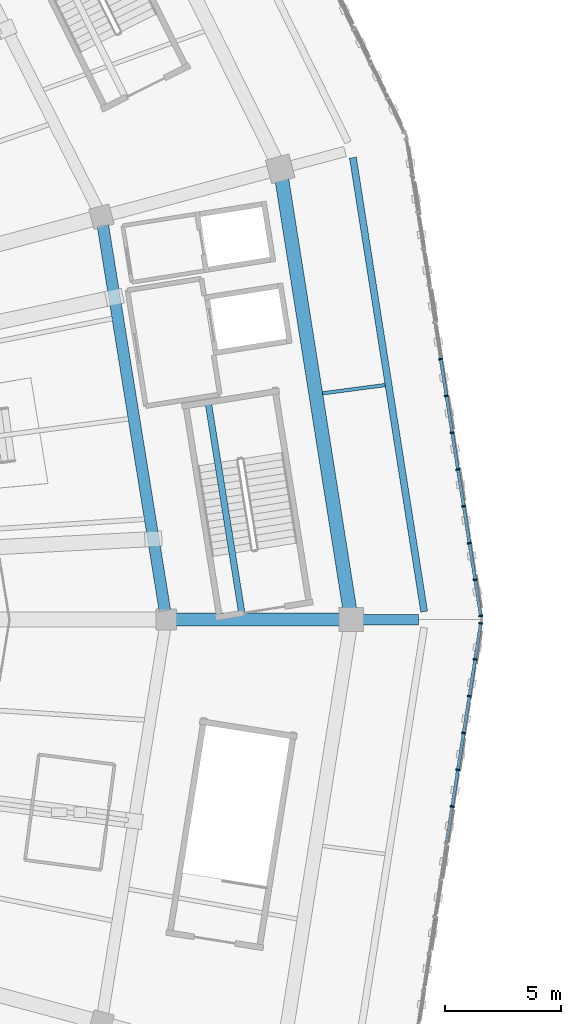
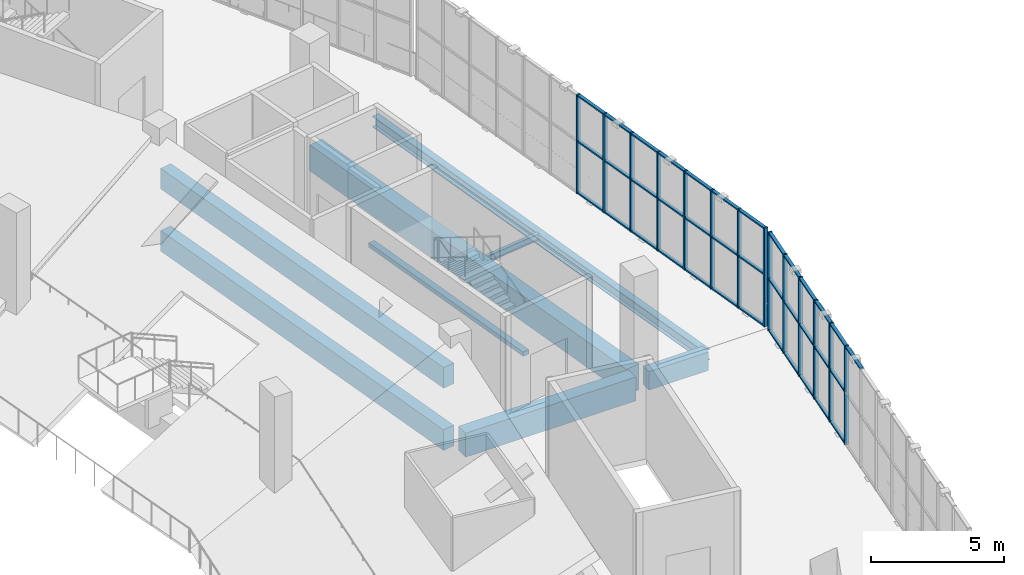
# One storey, part 39 of 152: 51 members, 8 beams, 2 elements without a shape of their own.
"""IFC4 building model written with IfcOpenShell, lengths in metres."""

from ifc_helpers import new_model, si_unit, direction, frame, origin, origin_2d, place, context, subcontext, project, spatial, rectangle, i_section, extrude, material, material_profile, profile_set, type_object, element, aggregate, save


model = new_model("IFC4")

# Units and contexts
model_context = context("Model", 3, precision=1e-05, world=origin(), true_north=direction((0.0, 1.0)))
body_context = subcontext(model_context, "Body", "Model", "MODEL_VIEW")
ifc_project = project(units=[si_unit("LENGTHUNIT", "METRE"), si_unit("AREAUNIT", "SQUARE_METRE"), si_unit("VOLUMEUNIT", "CUBIC_METRE"), si_unit("PLANEANGLEUNIT", "RADIAN"), si_unit("MASSUNIT", "GRAM", prefix="KILO")], contexts=[model_context])

# Site, building, storey
site_placement = place(None, origin())
site = spatial("IfcSite", under=ifc_project, at=site_placement, CompositionType="ELEMENT")
building_placement = place(site_placement, origin())
building = spatial("IfcBuilding", under=site, at=building_placement, Name="Zevraka Park Crest Stadium", CompositionType="ELEMENT")
storey_placement = place(building_placement, frame((0.0, 0.0, 15.0)))
storey = spatial("IfcBuildingStorey", under=building, at=storey_placement, Name="L03", CompositionType="ELEMENT", Elevation=15.0)

# Beams
ifc_material_1 = material(Name="Concrete C40/50", Category="concrete")
ifc_material_profile_1 = material_profile(ifc_material_1, rectangle(XDim=0.550048828125, YDim=1.10009765625, at=origin_2d()), Name="RC 1100x550")
ifc_profile_set_1 = profile_set([ifc_material_profile_1], Name="Concrete C40/50")
beam_type_1 = type_object("IfcBeamType", Name="BG02", PredefinedType="BEAM", material=ifc_profile_set_1)
beam_1_placement = place(storey_placement, frame((194.60009765625, 92.0, -0.56005859375), z_axis=(1.0, 0.0, 0.0), x_axis=(0.0, 1.0, 0.0)))
element("IfcBeam", 1, at=beam_1_placement, inside=storey, type_object=beam_type_1, Name="Radial Girder BG02 L03-CD-00", PredefinedType="BEAM", context=body_context, shape_type="SweptSolid", body=[
    extrude(rectangle(XDim=0.550048828125, YDim=1.10009765625, at=origin_2d()), origin(), (0.0, 0.0, 1.0), 7.39990234375),
])
ifc_material_2 = material(Name="Concrete C40/50", Category="concrete")
ifc_material_profile_2 = material_profile(ifc_material_2, rectangle(XDim=0.449951171875, YDim=0.85009765625, at=origin_2d()), Name="RC 850x450")
ifc_profile_set_2 = profile_set([ifc_material_profile_2], Name="Concrete C40/50")
beam_type_2 = type_object("IfcBeamType", Name="BG03", PredefinedType="BEAM", material=ifc_profile_set_2)
beam_2_placement = place(storey_placement, frame((202.60009765625, 92.0, -0.43505859375), z_axis=(1.0, 0.0, 0.0), x_axis=(0.0, 1.0, 0.0)))
element("IfcBeam", 2, at=beam_2_placement, inside=storey, type_object=beam_type_2, Name="Radial Girder BG03 L03-DE-00", PredefinedType="BEAM", context=body_context, shape_type="SweptSolid", body=[
    extrude(rectangle(XDim=0.449951171875, YDim=0.85009765625, at=origin_2d()), origin(), (0.0, 0.0, 1.0), 2.599853515625),
])

# Curtain wall, members
ifc_material_3 = material(Name="Anodised architectural aluminium and laminated safety glass", Category="aluminium")
curtain_wall_type = type_object("IfcCurtainWallType", Name="CW11", PredefinedType="NOTDEFINED", material=ifc_material_3)
curtain_wall_1_placement = place(storey_placement, origin())
curtain_wall_1 = element("IfcCurtainWall", 3, at=curtain_wall_1_placement, inside=storey, type_object=curtain_wall_type, Name="Unitised Ring Curtain Wall CW11 L03-00", PredefinedType="NOTDEFINED")
ifc_material_4 = material(Name="Anodised architectural aluminium", Category="aluminium")
ifc_material_profile_3 = material_profile(ifc_material_4, rectangle(XDim=0.179931640625, YDim=0.06494140625, at=origin_2d()), Name="ALU MULLION 180x65")
ifc_profile_set_3 = profile_set([ifc_material_profile_3], Name="Anodised architectural aluminium")
member_type_1 = type_object("IfcMemberType", Name="CM02", PredefinedType="MULLION", material=ifc_profile_set_3)
member_1_placement = place(storey_placement, frame((207.89404296875, 92.158203125, 0.0), z_axis=(0.0, 0.0, 1.0), x_axis=(-0.988050931267, -0.154127730222, 0.0)))
member_1 = element("IfcMember", 4, at=member_1_placement, type_object=member_type_1, Name="CW11 mullion 1", PredefinedType="MULLION", context=body_context, shape_type="SweptSolid", body=[
    extrude(rectangle(XDim=0.179931640625, YDim=0.06494140625, at=origin_2d()), origin(), (0.0, 0.0, 1.0), 4.5400390625),
])
member_2_placement = place(storey_placement, frame((207.65087890625, 93.71728515625, 0.0), z_axis=(0.0, 0.0, 1.0), x_axis=(-0.988050931267, -0.154127730222, 0.0)))
member_2 = element("IfcMember", 5, at=member_2_placement, type_object=member_type_1, Name="CW11 mullion 2", PredefinedType="MULLION", context=body_context, shape_type="SweptSolid", body=[
    extrude(rectangle(XDim=0.179931640625, YDim=0.06494140625, at=origin_2d()), origin(), (0.0, 0.0, 1.0), 4.5400390625),
])
member_3_placement = place(storey_placement, frame((207.402587890625, 95.30859375, 0.0), z_axis=(0.0, 0.0, 1.0), x_axis=(-0.988050931267, -0.154127730222, 0.0)))
member_3 = element("IfcMember", 6, at=member_3_placement, type_object=member_type_1, Name="CW11 mullion 3", PredefinedType="MULLION", context=body_context, shape_type="SweptSolid", body=[
    extrude(rectangle(XDim=0.179931640625, YDim=0.06494140625, at=origin_2d()), origin(), (0.0, 0.0, 1.0), 4.5400390625),
])
member_4_placement = place(storey_placement, frame((207.154296875, 96.89990234375, 0.0), z_axis=(0.0, 0.0, 1.0), x_axis=(-0.988050931267, -0.154127730222, 0.0)))
member_4 = element("IfcMember", 7, at=member_4_placement, type_object=member_type_1, Name="CW11 mullion 4", PredefinedType="MULLION", context=body_context, shape_type="SweptSolid", body=[
    extrude(rectangle(XDim=0.179931640625, YDim=0.06494140625, at=origin_2d()), origin(), (0.0, 0.0, 1.0), 4.5400390625),
])
member_5_placement = place(storey_placement, frame((206.906005859375, 98.4912109375, 0.0), z_axis=(0.0, 0.0, 1.0), x_axis=(-0.988050931267, -0.154127730222, 0.0)))
member_5 = element("IfcMember", 8, at=member_5_placement, type_object=member_type_1, Name="CW11 mullion 5", PredefinedType="MULLION", context=body_context, shape_type="SweptSolid", body=[
    extrude(rectangle(XDim=0.179931640625, YDim=0.06494140625, at=origin_2d()), origin(), (0.0, 0.0, 1.0), 4.5400390625),
])
member_6_placement = place(storey_placement, frame((206.657958984375, 100.08251953125, 0.0), z_axis=(0.0, 0.0, 1.0), x_axis=(-0.988050931267, -0.154127730222, 0.0)))
member_6 = element("IfcMember", 9, at=member_6_placement, type_object=member_type_1, Name="CW11 mullion 6", PredefinedType="MULLION", context=body_context, shape_type="SweptSolid", body=[
    extrude(rectangle(XDim=0.179931640625, YDim=0.06494140625, at=origin_2d()), origin(), (0.0, 0.0, 1.0), 4.5400390625),
])
member_7_placement = place(storey_placement, frame((206.40966796875, 101.673828125, 0.0), z_axis=(0.0, 0.0, 1.0), x_axis=(-0.988050931267, -0.154127730222, 0.0)))
member_7 = element("IfcMember", 10, at=member_7_placement, type_object=member_type_1, Name="CW11 mullion 7", PredefinedType="MULLION", context=body_context, shape_type="SweptSolid", body=[
    extrude(rectangle(XDim=0.179931640625, YDim=0.06494140625, at=origin_2d()), origin(), (0.0, 0.0, 1.0), 4.5400390625),
])
member_8_placement = place(storey_placement, frame((206.161376953125, 103.26513671875, 0.0), z_axis=(0.0, 0.0, 1.0), x_axis=(-0.988050931267, -0.154127730222, 0.0)))
member_8 = element("IfcMember", 11, at=member_8_placement, type_object=member_type_1, Name="CW11 mullion 8", PredefinedType="MULLION", context=body_context, shape_type="SweptSolid", body=[
    extrude(rectangle(XDim=0.179931640625, YDim=0.06494140625, at=origin_2d()), origin(), (0.0, 0.0, 1.0), 4.5400390625),
])

curtain_wall_2_placement = place(storey_placement, origin())
curtain_wall_2 = element("IfcCurtainWall", 12, at=curtain_wall_2_placement, inside=storey, type_object=curtain_wall_type, Name="Unitised Ring Curtain Wall CW11 L03-23", PredefinedType="NOTDEFINED")
member_9_placement = place(storey_placement, frame((206.657958984375, 83.91748046875, 0.0), z_axis=(0.0, 0.0, 1.0), x_axis=(-0.988050931267, 0.154127730222, 0.0)))
member_9 = element("IfcMember", 13, at=member_9_placement, type_object=member_type_1, Name="CW11 mullion 9", PredefinedType="MULLION", context=body_context, shape_type="SweptSolid", body=[
    extrude(rectangle(XDim=0.179931640625, YDim=0.06494140625, at=origin_2d()), origin(), (0.0, 0.0, 1.0), 4.5400390625),
])
member_10_placement = place(storey_placement, frame((206.906005859375, 85.5087890625, 0.0), z_axis=(0.0, 0.0, 1.0), x_axis=(-0.988050931267, 0.154127730222, 0.0)))
member_10 = element("IfcMember", 14, at=member_10_placement, type_object=member_type_1, Name="CW11 mullion 10", PredefinedType="MULLION", context=body_context, shape_type="SweptSolid", body=[
    extrude(rectangle(XDim=0.179931640625, YDim=0.06494140625, at=origin_2d()), origin(), (0.0, 0.0, 1.0), 4.5400390625),
])
member_11_placement = place(storey_placement, frame((207.154296875, 87.10009765625, 0.0), z_axis=(0.0, 0.0, 1.0), x_axis=(-0.988050931267, 0.154127730222, 0.0)))
member_11 = element("IfcMember", 15, at=member_11_placement, type_object=member_type_1, Name="CW11 mullion 11", PredefinedType="MULLION", context=body_context, shape_type="SweptSolid", body=[
    extrude(rectangle(XDim=0.179931640625, YDim=0.06494140625, at=origin_2d()), origin(), (0.0, 0.0, 1.0), 4.5400390625),
])
member_12_placement = place(storey_placement, frame((207.402587890625, 88.69140625, 0.0), z_axis=(0.0, 0.0, 1.0), x_axis=(-0.988050931267, 0.154127730222, 0.0)))
member_12 = element("IfcMember", 16, at=member_12_placement, type_object=member_type_1, Name="CW11 mullion 12", PredefinedType="MULLION", context=body_context, shape_type="SweptSolid", body=[
    extrude(rectangle(XDim=0.179931640625, YDim=0.06494140625, at=origin_2d()), origin(), (0.0, 0.0, 1.0), 4.5400390625),
])
member_13_placement = place(storey_placement, frame((207.65087890625, 90.28271484375, 0.0), z_axis=(0.0, 0.0, 1.0), x_axis=(-0.988050931267, 0.154127730222, 0.0)))
member_13 = element("IfcMember", 17, at=member_13_placement, type_object=member_type_1, Name="CW11 mullion 13", PredefinedType="MULLION", context=body_context, shape_type="SweptSolid", body=[
    extrude(rectangle(XDim=0.179931640625, YDim=0.06494140625, at=origin_2d()), origin(), (0.0, 0.0, 1.0), 4.5400390625),
])
member_14_placement = place(storey_placement, frame((207.89404296875, 91.841796875, 0.0), z_axis=(0.0, 0.0, 1.0), x_axis=(-0.988050931267, 0.154127730222, 0.0)))
member_14 = element("IfcMember", 18, at=member_14_placement, type_object=member_type_1, Name="CW11 mullion 14", PredefinedType="MULLION", context=body_context, shape_type="SweptSolid", body=[
    extrude(rectangle(XDim=0.179931640625, YDim=0.06494140625, at=origin_2d()), origin(), (0.0, 0.0, 1.0), 4.5400390625),
])

# Member
ifc_material_5 = material(Name="Anodised architectural aluminium", Category="aluminium")
ifc_material_profile_4 = material_profile(ifc_material_5, rectangle(XDim=0.139892578125, YDim=0.06494140625, at=origin_2d()), Name="ALU TRANSOM 140x65")
ifc_profile_set_4 = profile_set([ifc_material_profile_4], Name="Anodised architectural aluminium")
member_type_2 = type_object("IfcMemberType", Name="CT02", PredefinedType="USERDEFINED", material=ifc_profile_set_4)
member_15_placement = place(storey_placement, frame((207.888916015625, 92.190185546875, 0.032470703125), z_axis=(-0.154081566845, 0.988058131265, 0.0), x_axis=(-0.988058131265, -0.154081566845, 0.0)))
member_15 = element("IfcMember", 19, at=member_15_placement, type_object=member_type_2, Name="CW11 transom 1.1", ObjectType="TRANSOM", PredefinedType="USERDEFINED", context=body_context, shape_type="SweptSolid", body=[
    extrude(rectangle(XDim=0.139892578125, YDim=0.06494140625, at=origin_2d()), origin(), (0.0, 0.0, 1.0), 1.51318359375),
])

member_16_placement = place(storey_placement, frame((207.888916015625, 92.190185546875, 2.39990234375), z_axis=(-0.154081566845, 0.988058131265, 0.0), x_axis=(-0.988058131265, -0.154081566845, 0.0)))
member_16 = element("IfcMember", 20, at=member_16_placement, type_object=member_type_2, Name="CW11 transom 1.2", ObjectType="TRANSOM", PredefinedType="USERDEFINED", context=body_context, shape_type="SweptSolid", body=[
    extrude(rectangle(XDim=0.139892578125, YDim=0.06494140625, at=origin_2d()), origin(), (0.0, 0.0, 1.0), 1.51318359375),
])

member_17_placement = place(storey_placement, frame((207.888916015625, 92.190185546875, 4.507568359375), z_axis=(-0.154081566845, 0.988058131265, 0.0), x_axis=(-0.988058131265, -0.154081566845, 0.0)))
member_17 = element("IfcMember", 21, at=member_17_placement, type_object=member_type_2, Name="CW11 transom 1.3", ObjectType="TRANSOM", PredefinedType="USERDEFINED", context=body_context, shape_type="SweptSolid", body=[
    extrude(rectangle(XDim=0.139892578125, YDim=0.06494140625, at=origin_2d()), origin(), (0.0, 0.0, 1.0), 1.51318359375),
])

member_18_placement = place(storey_placement, frame((207.645751953125, 93.74951171875, 0.032470703125), z_axis=(-0.154169675764, 0.988044387199, 0.0), x_axis=(-0.988044387199, -0.154169675764, 0.0)))
member_18 = element("IfcMember", 22, at=member_18_placement, type_object=member_type_2, Name="CW11 transom 2.1", ObjectType="TRANSOM", PredefinedType="USERDEFINED", context=body_context, shape_type="SweptSolid", body=[
    extrude(rectangle(XDim=0.139892578125, YDim=0.06494140625, at=origin_2d()), origin(), (0.0, 0.0, 1.0), 1.545654296875),
])

member_19_placement = place(storey_placement, frame((207.645751953125, 93.74951171875, 2.39990234375), z_axis=(-0.154169675764, 0.988044387199, 0.0), x_axis=(-0.988044387199, -0.154169675764, 0.0)))
member_19 = element("IfcMember", 23, at=member_19_placement, type_object=member_type_2, Name="CW11 transom 2.2", ObjectType="TRANSOM", PredefinedType="USERDEFINED", context=body_context, shape_type="SweptSolid", body=[
    extrude(rectangle(XDim=0.139892578125, YDim=0.06494140625, at=origin_2d()), origin(), (0.0, 0.0, 1.0), 1.545654296875),
])

member_20_placement = place(storey_placement, frame((207.645751953125, 93.74951171875, 4.507568359375), z_axis=(-0.154169675764, 0.988044387199, 0.0), x_axis=(-0.988044387199, -0.154169675764, 0.0)))
member_20 = element("IfcMember", 24, at=member_20_placement, type_object=member_type_2, Name="CW11 transom 2.3", ObjectType="TRANSOM", PredefinedType="USERDEFINED", context=body_context, shape_type="SweptSolid", body=[
    extrude(rectangle(XDim=0.139892578125, YDim=0.06494140625, at=origin_2d()), origin(), (0.0, 0.0, 1.0), 1.545654296875),
])

member_21_placement = place(storey_placement, frame((207.3974609375, 95.3408203125, 0.032470703125), z_axis=(-0.154015463856, 0.988068437353, 0.0), x_axis=(-0.988068437353, -0.154015463856, 0.0)))
member_21 = element("IfcMember", 25, at=member_21_placement, type_object=member_type_2, Name="CW11 transom 3.1", ObjectType="TRANSOM", PredefinedType="USERDEFINED", context=body_context, shape_type="SweptSolid", body=[
    extrude(rectangle(XDim=0.139892578125, YDim=0.06494140625, at=origin_2d()), origin(), (0.0, 0.0, 1.0), 1.545654296875),
])

member_22_placement = place(storey_placement, frame((207.3974609375, 95.3408203125, 2.39990234375), z_axis=(-0.154015463856, 0.988068437353, 0.0), x_axis=(-0.988068437353, -0.154015463856, 0.0)))
member_22 = element("IfcMember", 26, at=member_22_placement, type_object=member_type_2, Name="CW11 transom 3.2", ObjectType="TRANSOM", PredefinedType="USERDEFINED", context=body_context, shape_type="SweptSolid", body=[
    extrude(rectangle(XDim=0.139892578125, YDim=0.06494140625, at=origin_2d()), origin(), (0.0, 0.0, 1.0), 1.545654296875),
])

member_23_placement = place(storey_placement, frame((207.3974609375, 95.3408203125, 4.507568359375), z_axis=(-0.154015463856, 0.988068437353, 0.0), x_axis=(-0.988068437353, -0.154015463856, 0.0)))
member_23 = element("IfcMember", 27, at=member_23_placement, type_object=member_type_2, Name="CW11 transom 3.3", ObjectType="TRANSOM", PredefinedType="USERDEFINED", context=body_context, shape_type="SweptSolid", body=[
    extrude(rectangle(XDim=0.139892578125, YDim=0.06494140625, at=origin_2d()), origin(), (0.0, 0.0, 1.0), 1.545654296875),
])

member_24_placement = place(storey_placement, frame((207.1494140625, 96.93212890625, 0.032470703125), z_axis=(-0.154169675764, 0.988044387199, 0.0), x_axis=(-0.988044387199, -0.154169675764, 0.0)))
member_24 = element("IfcMember", 28, at=member_24_placement, type_object=member_type_2, Name="CW11 transom 4.1", ObjectType="TRANSOM", PredefinedType="USERDEFINED", context=body_context, shape_type="SweptSolid", body=[
    extrude(rectangle(XDim=0.139892578125, YDim=0.06494140625, at=origin_2d()), origin(), (0.0, 0.0, 1.0), 1.545654296875),
])

member_25_placement = place(storey_placement, frame((207.1494140625, 96.93212890625, 2.39990234375), z_axis=(-0.154169675764, 0.988044387199, 0.0), x_axis=(-0.988044387199, -0.154169675764, 0.0)))
member_25 = element("IfcMember", 29, at=member_25_placement, type_object=member_type_2, Name="CW11 transom 4.2", ObjectType="TRANSOM", PredefinedType="USERDEFINED", context=body_context, shape_type="SweptSolid", body=[
    extrude(rectangle(XDim=0.139892578125, YDim=0.06494140625, at=origin_2d()), origin(), (0.0, 0.0, 1.0), 1.545654296875),
])

member_26_placement = place(storey_placement, frame((207.1494140625, 96.93212890625, 4.507568359375), z_axis=(-0.154169675764, 0.988044387199, 0.0), x_axis=(-0.988044387199, -0.154169675764, 0.0)))
member_26 = element("IfcMember", 30, at=member_26_placement, type_object=member_type_2, Name="CW11 transom 4.3", ObjectType="TRANSOM", PredefinedType="USERDEFINED", context=body_context, shape_type="SweptSolid", body=[
    extrude(rectangle(XDim=0.139892578125, YDim=0.06494140625, at=origin_2d()), origin(), (0.0, 0.0, 1.0), 1.545654296875),
])

member_27_placement = place(storey_placement, frame((206.901123046875, 98.5234375, 0.032470703125), z_axis=(-0.154169675764, 0.988044387199, 0.0), x_axis=(-0.988044387199, -0.154169675764, 0.0)))
member_27 = element("IfcMember", 31, at=member_27_placement, type_object=member_type_2, Name="CW11 transom 5.1", ObjectType="TRANSOM", PredefinedType="USERDEFINED", context=body_context, shape_type="SweptSolid", body=[
    extrude(rectangle(XDim=0.139892578125, YDim=0.06494140625, at=origin_2d()), origin(), (0.0, 0.0, 1.0), 1.545654296875),
])

member_28_placement = place(storey_placement, frame((206.901123046875, 98.5234375, 2.39990234375), z_axis=(-0.154169675764, 0.988044387199, 0.0), x_axis=(-0.988044387199, -0.154169675764, 0.0)))
member_28 = element("IfcMember", 32, at=member_28_placement, type_object=member_type_2, Name="CW11 transom 5.2", ObjectType="TRANSOM", PredefinedType="USERDEFINED", context=body_context, shape_type="SweptSolid", body=[
    extrude(rectangle(XDim=0.139892578125, YDim=0.06494140625, at=origin_2d()), origin(), (0.0, 0.0, 1.0), 1.545654296875),
])

member_29_placement = place(storey_placement, frame((206.901123046875, 98.5234375, 4.507568359375), z_axis=(-0.154169675764, 0.988044387199, 0.0), x_axis=(-0.988044387199, -0.154169675764, 0.0)))
member_29 = element("IfcMember", 33, at=member_29_placement, type_object=member_type_2, Name="CW11 transom 5.3", ObjectType="TRANSOM", PredefinedType="USERDEFINED", context=body_context, shape_type="SweptSolid", body=[
    extrude(rectangle(XDim=0.139892578125, YDim=0.06494140625, at=origin_2d()), origin(), (0.0, 0.0, 1.0), 1.545654296875),
])

member_30_placement = place(storey_placement, frame((206.65283203125, 100.11474609375, 0.032470703125), z_axis=(-0.154169675764, 0.988044387199, 0.0), x_axis=(-0.988044387199, -0.154169675764, 0.0)))
member_30 = element("IfcMember", 34, at=member_30_placement, type_object=member_type_2, Name="CW11 transom 6.1", ObjectType="TRANSOM", PredefinedType="USERDEFINED", context=body_context, shape_type="SweptSolid", body=[
    extrude(rectangle(XDim=0.139892578125, YDim=0.06494140625, at=origin_2d()), origin(), (0.0, 0.0, 1.0), 1.545654296875),
])

member_31_placement = place(storey_placement, frame((206.65283203125, 100.11474609375, 2.39990234375), z_axis=(-0.154169675764, 0.988044387199, 0.0), x_axis=(-0.988044387199, -0.154169675764, 0.0)))
member_31 = element("IfcMember", 35, at=member_31_placement, type_object=member_type_2, Name="CW11 transom 6.2", ObjectType="TRANSOM", PredefinedType="USERDEFINED", context=body_context, shape_type="SweptSolid", body=[
    extrude(rectangle(XDim=0.139892578125, YDim=0.06494140625, at=origin_2d()), origin(), (0.0, 0.0, 1.0), 1.545654296875),
])

member_32_placement = place(storey_placement, frame((206.65283203125, 100.11474609375, 4.507568359375), z_axis=(-0.154169675764, 0.988044387199, 0.0), x_axis=(-0.988044387199, -0.154169675764, 0.0)))
member_32 = element("IfcMember", 36, at=member_32_placement, type_object=member_type_2, Name="CW11 transom 6.3", ObjectType="TRANSOM", PredefinedType="USERDEFINED", context=body_context, shape_type="SweptSolid", body=[
    extrude(rectangle(XDim=0.139892578125, YDim=0.06494140625, at=origin_2d()), origin(), (0.0, 0.0, 1.0), 1.545654296875),
])

member_33_placement = place(storey_placement, frame((206.404541015625, 101.7060546875, 0.032470703125), z_axis=(-0.154015463856, 0.988068437353, 0.0), x_axis=(-0.988068437353, -0.154015463856, 0.0)))
member_33 = element("IfcMember", 37, at=member_33_placement, type_object=member_type_2, Name="CW11 transom 7.1", ObjectType="TRANSOM", PredefinedType="USERDEFINED", context=body_context, shape_type="SweptSolid", body=[
    extrude(rectangle(XDim=0.139892578125, YDim=0.06494140625, at=origin_2d()), origin(), (0.0, 0.0, 1.0), 1.545654296875),
])

member_34_placement = place(storey_placement, frame((206.404541015625, 101.7060546875, 2.39990234375), z_axis=(-0.154015463856, 0.988068437353, 0.0), x_axis=(-0.988068437353, -0.154015463856, 0.0)))
member_34 = element("IfcMember", 38, at=member_34_placement, type_object=member_type_2, Name="CW11 transom 7.2", ObjectType="TRANSOM", PredefinedType="USERDEFINED", context=body_context, shape_type="SweptSolid", body=[
    extrude(rectangle(XDim=0.139892578125, YDim=0.06494140625, at=origin_2d()), origin(), (0.0, 0.0, 1.0), 1.545654296875),
])

member_35_placement = place(storey_placement, frame((206.404541015625, 101.7060546875, 4.507568359375), z_axis=(-0.154015463856, 0.988068437353, 0.0), x_axis=(-0.988068437353, -0.154015463856, 0.0)))
member_35 = element("IfcMember", 39, at=member_35_placement, type_object=member_type_2, Name="CW11 transom 7.3", ObjectType="TRANSOM", PredefinedType="USERDEFINED", context=body_context, shape_type="SweptSolid", body=[
    extrude(rectangle(XDim=0.139892578125, YDim=0.06494140625, at=origin_2d()), origin(), (0.0, 0.0, 1.0), 1.545654296875),
])

aggregate(curtain_wall_1, [member_1, member_2, member_3, member_4, member_5, member_6, member_7, member_8, member_15, member_16, member_17, member_18, member_19, member_20, member_21, member_22, member_23, member_24, member_25, member_26, member_27, member_28, member_29, member_30, member_31, member_32, member_33, member_34, member_35])

member_36_placement = place(storey_placement, frame((206.41455078125, 82.358154296875, 4.507568359375), z_axis=(0.154169675764, 0.988044387199, 0.0), x_axis=(-0.988044387199, 0.154169675764, 0.0)))
member_36 = element("IfcMember", 40, at=member_36_placement, type_object=member_type_2, Name="CW11 transom 8.3", ObjectType="TRANSOM", PredefinedType="USERDEFINED", context=body_context, shape_type="SweptSolid", body=[
    extrude(rectangle(XDim=0.139892578125, YDim=0.06494140625, at=origin_2d()), origin(), (0.0, 0.0, 1.0), 1.545654296875),
])

member_37_placement = place(storey_placement, frame((206.662841796875, 83.949462890625, 0.032470703125), z_axis=(0.154169675764, 0.988044387199, 0.0), x_axis=(-0.988044387199, 0.154169675764, 0.0)))
member_37 = element("IfcMember", 41, at=member_37_placement, type_object=member_type_2, Name="CW11 transom 9.1", ObjectType="TRANSOM", PredefinedType="USERDEFINED", context=body_context, shape_type="SweptSolid", body=[
    extrude(rectangle(XDim=0.139892578125, YDim=0.06494140625, at=origin_2d()), origin(), (0.0, 0.0, 1.0), 1.545654296875),
])

member_38_placement = place(storey_placement, frame((206.662841796875, 83.949462890625, 2.39990234375), z_axis=(0.154169675764, 0.988044387199, 0.0), x_axis=(-0.988044387199, 0.154169675764, 0.0)))
member_38 = element("IfcMember", 42, at=member_38_placement, type_object=member_type_2, Name="CW11 transom 9.2", ObjectType="TRANSOM", PredefinedType="USERDEFINED", context=body_context, shape_type="SweptSolid", body=[
    extrude(rectangle(XDim=0.139892578125, YDim=0.06494140625, at=origin_2d()), origin(), (0.0, 0.0, 1.0), 1.545654296875),
])

member_39_placement = place(storey_placement, frame((206.662841796875, 83.949462890625, 4.507568359375), z_axis=(0.154169675764, 0.988044387199, 0.0), x_axis=(-0.988044387199, 0.154169675764, 0.0)))
member_39 = element("IfcMember", 43, at=member_39_placement, type_object=member_type_2, Name="CW11 transom 9.3", ObjectType="TRANSOM", PredefinedType="USERDEFINED", context=body_context, shape_type="SweptSolid", body=[
    extrude(rectangle(XDim=0.139892578125, YDim=0.06494140625, at=origin_2d()), origin(), (0.0, 0.0, 1.0), 1.545654296875),
])

member_40_placement = place(storey_placement, frame((206.9111328125, 85.540771484375, 0.032470703125), z_axis=(0.154169675764, 0.988044387199, 0.0), x_axis=(-0.988044387199, 0.154169675764, 0.0)))
member_40 = element("IfcMember", 44, at=member_40_placement, type_object=member_type_2, Name="CW11 transom 10.1", ObjectType="TRANSOM", PredefinedType="USERDEFINED", context=body_context, shape_type="SweptSolid", body=[
    extrude(rectangle(XDim=0.139892578125, YDim=0.06494140625, at=origin_2d()), origin(), (0.0, 0.0, 1.0), 1.545654296875),
])

member_41_placement = place(storey_placement, frame((206.9111328125, 85.540771484375, 2.39990234375), z_axis=(0.154169675764, 0.988044387199, 0.0), x_axis=(-0.988044387199, 0.154169675764, 0.0)))
member_41 = element("IfcMember", 45, at=member_41_placement, type_object=member_type_2, Name="CW11 transom 10.2", ObjectType="TRANSOM", PredefinedType="USERDEFINED", context=body_context, shape_type="SweptSolid", body=[
    extrude(rectangle(XDim=0.139892578125, YDim=0.06494140625, at=origin_2d()), origin(), (0.0, 0.0, 1.0), 1.545654296875),
])

member_42_placement = place(storey_placement, frame((206.9111328125, 85.540771484375, 4.507568359375), z_axis=(0.154169675764, 0.988044387199, 0.0), x_axis=(-0.988044387199, 0.154169675764, 0.0)))
member_42 = element("IfcMember", 46, at=member_42_placement, type_object=member_type_2, Name="CW11 transom 10.3", ObjectType="TRANSOM", PredefinedType="USERDEFINED", context=body_context, shape_type="SweptSolid", body=[
    extrude(rectangle(XDim=0.139892578125, YDim=0.06494140625, at=origin_2d()), origin(), (0.0, 0.0, 1.0), 1.545654296875),
])

member_43_placement = place(storey_placement, frame((207.159423828125, 87.132080078125, 0.032470703125), z_axis=(0.154015463856, 0.988068437353, 0.0), x_axis=(-0.988068437353, 0.154015463856, 0.0)))
member_43 = element("IfcMember", 47, at=member_43_placement, type_object=member_type_2, Name="CW11 transom 11.1", ObjectType="TRANSOM", PredefinedType="USERDEFINED", context=body_context, shape_type="SweptSolid", body=[
    extrude(rectangle(XDim=0.139892578125, YDim=0.06494140625, at=origin_2d()), origin(), (0.0, 0.0, 1.0), 1.545654296875),
])

member_44_placement = place(storey_placement, frame((207.159423828125, 87.132080078125, 2.39990234375), z_axis=(0.154015463856, 0.988068437353, 0.0), x_axis=(-0.988068437353, 0.154015463856, 0.0)))
member_44 = element("IfcMember", 48, at=member_44_placement, type_object=member_type_2, Name="CW11 transom 11.2", ObjectType="TRANSOM", PredefinedType="USERDEFINED", context=body_context, shape_type="SweptSolid", body=[
    extrude(rectangle(XDim=0.139892578125, YDim=0.06494140625, at=origin_2d()), origin(), (0.0, 0.0, 1.0), 1.545654296875),
])

member_45_placement = place(storey_placement, frame((207.159423828125, 87.132080078125, 4.507568359375), z_axis=(0.154015463856, 0.988068437353, 0.0), x_axis=(-0.988068437353, 0.154015463856, 0.0)))
member_45 = element("IfcMember", 49, at=member_45_placement, type_object=member_type_2, Name="CW11 transom 11.3", ObjectType="TRANSOM", PredefinedType="USERDEFINED", context=body_context, shape_type="SweptSolid", body=[
    extrude(rectangle(XDim=0.139892578125, YDim=0.06494140625, at=origin_2d()), origin(), (0.0, 0.0, 1.0), 1.545654296875),
])

member_46_placement = place(storey_placement, frame((207.407470703125, 88.723388671875, 0.032470703125), z_axis=(0.154169675764, 0.988044387199, 0.0), x_axis=(-0.988044387199, 0.154169675764, 0.0)))
member_46 = element("IfcMember", 50, at=member_46_placement, type_object=member_type_2, Name="CW11 transom 12.1", ObjectType="TRANSOM", PredefinedType="USERDEFINED", context=body_context, shape_type="SweptSolid", body=[
    extrude(rectangle(XDim=0.139892578125, YDim=0.06494140625, at=origin_2d()), origin(), (0.0, 0.0, 1.0), 1.545654296875),
])

member_47_placement = place(storey_placement, frame((207.407470703125, 88.723388671875, 2.39990234375), z_axis=(0.154169675764, 0.988044387199, 0.0), x_axis=(-0.988044387199, 0.154169675764, 0.0)))
member_47 = element("IfcMember", 51, at=member_47_placement, type_object=member_type_2, Name="CW11 transom 12.2", ObjectType="TRANSOM", PredefinedType="USERDEFINED", context=body_context, shape_type="SweptSolid", body=[
    extrude(rectangle(XDim=0.139892578125, YDim=0.06494140625, at=origin_2d()), origin(), (0.0, 0.0, 1.0), 1.545654296875),
])

member_48_placement = place(storey_placement, frame((207.407470703125, 88.723388671875, 4.507568359375), z_axis=(0.154169675764, 0.988044387199, 0.0), x_axis=(-0.988044387199, 0.154169675764, 0.0)))
member_48 = element("IfcMember", 52, at=member_48_placement, type_object=member_type_2, Name="CW11 transom 12.3", ObjectType="TRANSOM", PredefinedType="USERDEFINED", context=body_context, shape_type="SweptSolid", body=[
    extrude(rectangle(XDim=0.139892578125, YDim=0.06494140625, at=origin_2d()), origin(), (0.0, 0.0, 1.0), 1.545654296875),
])

member_49_placement = place(storey_placement, frame((207.65576171875, 90.314697265625, 0.032470703125), z_axis=(0.154081566845, 0.988058131265, 0.0), x_axis=(-0.988058131265, 0.154081566845, 0.0)))
member_49 = element("IfcMember", 53, at=member_49_placement, type_object=member_type_2, Name="CW11 transom 13.1", ObjectType="TRANSOM", PredefinedType="USERDEFINED", context=body_context, shape_type="SweptSolid", body=[
    extrude(rectangle(XDim=0.139892578125, YDim=0.06494140625, at=origin_2d()), origin(), (0.0, 0.0, 1.0), 1.51318359375),
])

member_50_placement = place(storey_placement, frame((207.65576171875, 90.314697265625, 2.39990234375), z_axis=(0.154081566845, 0.988058131265, 0.0), x_axis=(-0.988058131265, 0.154081566845, 0.0)))
member_50 = element("IfcMember", 54, at=member_50_placement, type_object=member_type_2, Name="CW11 transom 13.2", ObjectType="TRANSOM", PredefinedType="USERDEFINED", context=body_context, shape_type="SweptSolid", body=[
    extrude(rectangle(XDim=0.139892578125, YDim=0.06494140625, at=origin_2d()), origin(), (0.0, 0.0, 1.0), 1.51318359375),
])

member_51_placement = place(storey_placement, frame((207.65576171875, 90.314697265625, 4.507568359375), z_axis=(0.154081566845, 0.988058131265, 0.0), x_axis=(-0.988058131265, 0.154081566845, 0.0)))
member_51 = element("IfcMember", 55, at=member_51_placement, type_object=member_type_2, Name="CW11 transom 13.3", ObjectType="TRANSOM", PredefinedType="USERDEFINED", context=body_context, shape_type="SweptSolid", body=[
    extrude(rectangle(XDim=0.139892578125, YDim=0.06494140625, at=origin_2d()), origin(), (0.0, 0.0, 1.0), 1.51318359375),
])

aggregate(curtain_wall_2, [member_9, member_10, member_11, member_12, member_13, member_14, member_36, member_37, member_38, member_39, member_40, member_41, member_42, member_43, member_44, member_45, member_46, member_47, member_48, member_49, member_50, member_51])

# Beams
ifc_material_6 = material(Name="Concrete C40/50", Category="concrete")
ifc_material_profile_5 = material_profile(ifc_material_6, rectangle(XDim=0.60009765625, YDim=1.199951171875, at=origin_2d()), Name="RC 1200x600")
ifc_profile_set_5 = profile_set([ifc_material_profile_5], Name="Concrete C40/50")
beam_type_3 = type_object("IfcBeamType", Name="RB01", PredefinedType="BEAM", material=ifc_profile_set_5)
beam_3_placement = place(storey_placement, frame((202.240966796875, 92.375, -0.610107421875), z_axis=(-0.155972486086, 0.987761400129, 0.0), x_axis=(-0.987761400129, -0.155972486086, 0.0)))
element("IfcBeam", 56, at=beam_3_placement, inside=storey, type_object=beam_type_3, Name="Ring Beam RB01 L03-D-00", PredefinedType="BEAM", context=body_context, shape_type="SweptSolid", body=[
    extrude(rectangle(XDim=0.60009765625, YDim=1.199951171875, at=origin_2d()), origin(), (0.0, 0.0, 1.0), 18.97119140625),
])
ifc_material_7 = material(Name="Concrete C40/50", Category="concrete")
ifc_material_profile_6 = material_profile(ifc_material_7, rectangle(XDim=0.5, YDim=0.949951171875, at=origin_2d()), Name="RC 950x500")
ifc_profile_set_6 = profile_set([ifc_material_profile_6], Name="Concrete C40/50")
beam_type_4 = type_object("IfcBeamType", Name="RB02", PredefinedType="BEAM", material=ifc_profile_set_6)
for number, where, z_axis, x_axis, name in (
    (57, (194.239990234375, 92.375, -0.485107421875), (-0.158975112778, 0.987282590507, 0.0), (-0.987282590507, -0.158975112778, 0.0), "Ring Beam RB02 L03-C-00"),
    (58, (194.239990234375, 92.375, 2.375), (-0.158975112778, 0.987282590507, 0.0), (-0.987282590507, -0.158975112778, 0.0), "Upper Tier Head Raker Ring Beam RB02 00"),
):
    element("IfcBeam", number, at=place(storey_placement, frame(where, z_axis=z_axis, x_axis=x_axis)), inside=storey, type_object=beam_type_4, Name=name, PredefinedType="BEAM", context=body_context, shape_type="SweptSolid", body=[
        extrude(rectangle(XDim=0.5, YDim=0.949951171875, at=origin_2d()), origin(), (0.0, 0.0, 1.0), 16.883544921875),
    ])
ifc_material_8 = material(Name="Steel S355", Category="steel")
ifc_material_profile_7 = material_profile(ifc_material_8, i_section(OverallWidth=0.300048828125, OverallDepth=0.5, WebThickness=0.014404296875, FlangeThickness=0.028076171875, at=origin_2d()), Name="HEB 500")
ifc_profile_set_7 = profile_set([ifc_material_profile_7], Name="Steel S355")
beam_type_5 = type_object("IfcBeamType", Name="RB05", PredefinedType="BEAM", material=ifc_profile_set_7)
beam_4_placement = place(storey_placement, frame((205.446044921875, 92.345947265625, -0.60498046875), z_axis=(-0.154952716421, 0.987921887435, 0.0), x_axis=(-0.987921887435, -0.154952716421, 0.0)))
element("IfcBeam", 59, at=beam_4_placement, inside=storey, type_object=beam_type_5, Name="Ring Beam RB05 L03-E-00", PredefinedType="BEAM", context=body_context, shape_type="SweptSolid", body=[
    extrude(i_section(OverallWidth=0.300048828125, OverallDepth=0.5, WebThickness=0.014404296875, FlangeThickness=0.028076171875, at=origin_2d()), origin(), (0.0, 0.0, 1.0), 19.864990234375),
])
ifc_material_9 = material(Name="Steel S355", Category="steel")
ifc_material_profile_8 = material_profile(ifc_material_9, i_section(OverallWidth=0.14990234375, OverallDepth=0.300048828125, WebThickness=0.007080078125, FlangeThickness=0.0107421875, at=origin_2d()), Name="IPE 300")
ifc_profile_set_8 = profile_set([ifc_material_profile_8], Name="Steel S355")
beam_type_6 = type_object("IfcBeamType", Name="SJ01", PredefinedType="JOIST", material=ifc_profile_set_8)
beam_5_placement = place(storey_placement, frame((201.053955078125, 101.782958984375, -0.4580078125), z_axis=(0.991431166896, 0.130630169971, 0.0), x_axis=(-0.130630169971, 0.991431166896, 0.0)))
element("IfcBeam", 60, at=beam_5_placement, inside=storey, type_object=beam_type_6, Name="Floor Joist SJ01 L03-DE-00-1", PredefinedType="JOIST", context=body_context, shape_type="SweptSolid", body=[
    extrude(i_section(OverallWidth=0.14990234375, OverallDepth=0.300048828125, WebThickness=0.007080078125, FlangeThickness=0.0107421875, at=origin_2d()), origin(), (0.0, 0.0, 1.0), 2.732421875),
])
ifc_material_10 = material(Name="Concrete C40/50", Category="concrete")
ifc_material_profile_9 = material_profile(ifc_material_10, rectangle(XDim=0.280029296875, YDim=0.199951171875, at=origin_2d()), Name="RC 200x280")
ifc_profile_set_9 = profile_set([ifc_material_profile_9], Name="Concrete C40/50")
beam_type_7 = type_object("IfcBeamType", Name="SJ13", PredefinedType="JOIST", material=ifc_profile_set_9)
beam_6_placement = place(storey_placement, frame((197.559326171875, 92.29736328125, 2.300048828125), z_axis=(-0.157251361722, 0.987558610532, 0.0), x_axis=(-0.987558610532, -0.157251361722, 0.0)))
element("IfcBeam", 61, at=beam_6_placement, inside=storey, type_object=beam_type_7, Name="Stair Upper-Flight Longitudinal Stringer SJ13 ST01-L03", PredefinedType="JOIST", context=body_context, shape_type="SweptSolid", body=[
    extrude(rectangle(XDim=0.280029296875, YDim=0.199951171875, at=origin_2d()), origin(), (0.0, 0.0, 1.0), 9.25),
])

save(model, "model.ifc")
